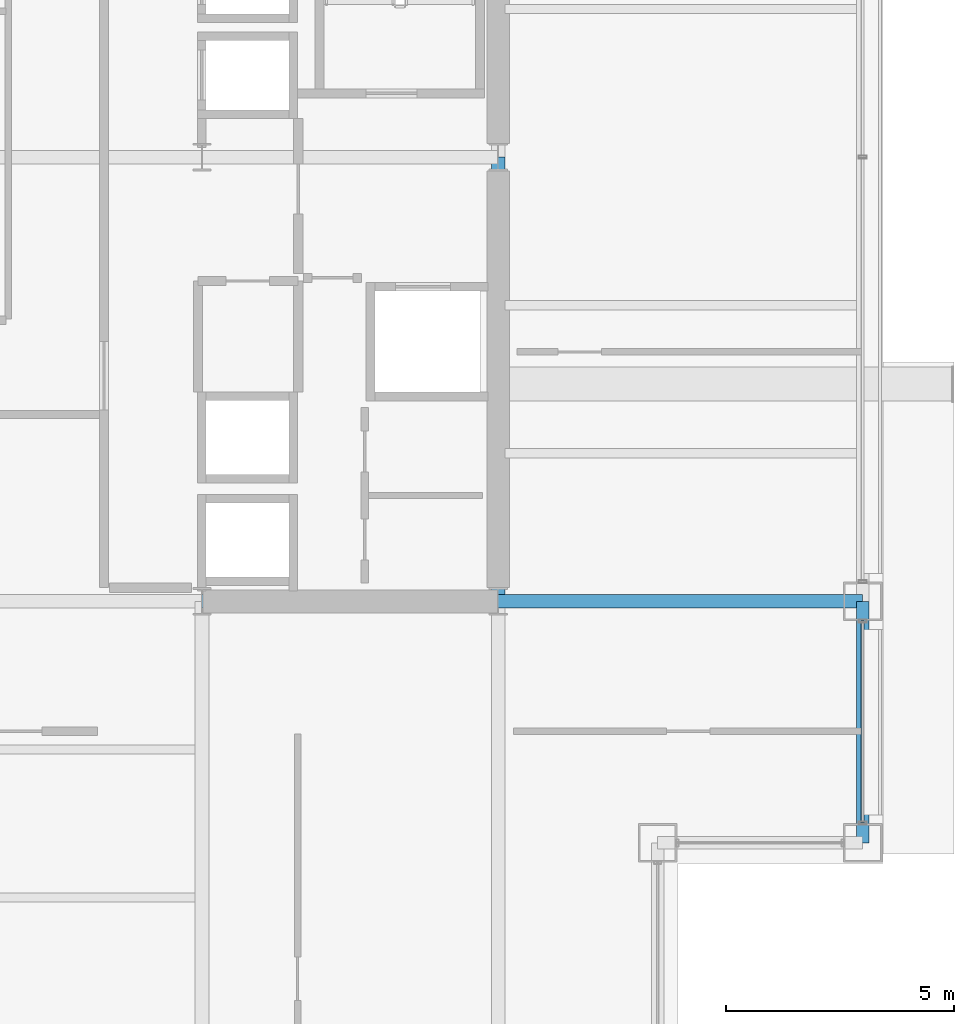
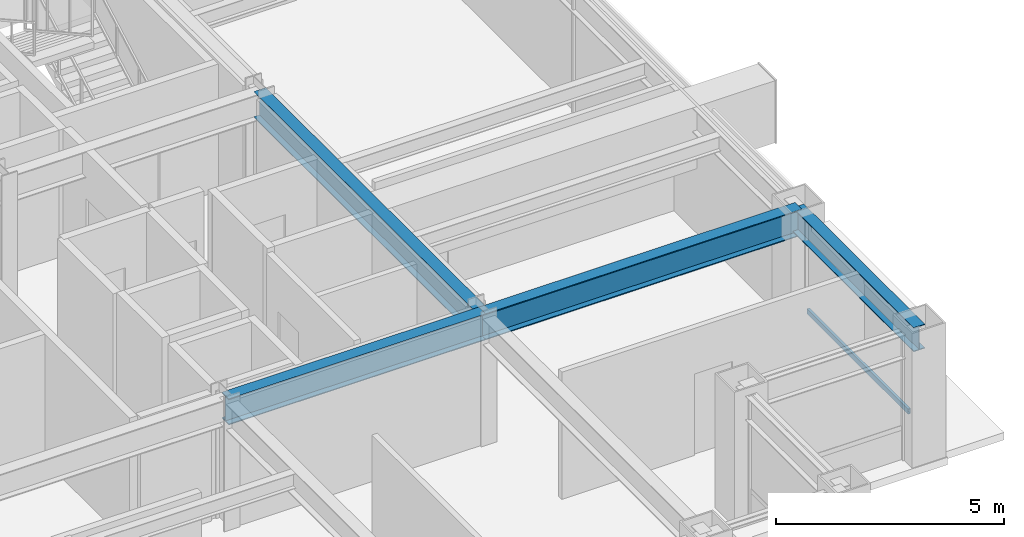
# One storey, part 15 of 34: 4 beams, 1 member, 1 element without a shape of its own.
"""IFC4 building model written with IfcOpenShell, lengths in metres."""

from ifc_helpers import new_model, si_unit, direction, frame, origin, origin_2d, place, context, subcontext, project, spatial, hollow_rectangle, i_section, extrude, material, layer, layer_set, material_profile, profile_set, type_object, element, aggregate, save


model = new_model("IFC4")

# Units and contexts
model_context = context("Model", 3, precision=1e-05, world=origin(), true_north=direction((0.0, 1.0)))
body_context = subcontext(model_context, "Body", "Model", "MODEL_VIEW")
ifc_project = project(units=[si_unit("LENGTHUNIT", "METRE"), si_unit("AREAUNIT", "SQUARE_METRE"), si_unit("VOLUMEUNIT", "CUBIC_METRE"), si_unit("PLANEANGLEUNIT", "RADIAN"), si_unit("MASSUNIT", "GRAM", prefix="KILO")], contexts=[model_context])

# Site, building, storey
site_placement = place(None, origin())
site = spatial("IfcSite", under=ifc_project, at=site_placement, CompositionType="ELEMENT")
building_placement = place(site_placement, origin())
building = spatial("IfcBuilding", under=site, at=building_placement, Name="Brelmoor Portico Tower", CompositionType="ELEMENT")
storey_placement = place(building_placement, frame((0.0, 0.0, 117.0)))
storey = spatial("IfcBuildingStorey", under=building, at=storey_placement, Name="L30", CompositionType="ELEMENT", Elevation=117.0)

# Beams
ifc_material_1 = material(Name="Steel Q355B", Category="steel")
ifc_material_profile_1 = material_profile(ifc_material_1, i_section(OverallWidth=0.300048828125, OverallDepth=0.699951171875, WebThickness=0.012939453125, FlangeThickness=0.02392578125, at=origin_2d()), Name="HN 700x300x13x24")
ifc_profile_set_1 = profile_set([ifc_material_profile_1], Name="Steel Q355B")
beam_type_1 = type_object("IfcBeamType", Name="BM-PG-700", PredefinedType="BEAM", material=ifc_profile_set_1)
beam_1_placement = place(storey_placement, frame((14.550048828125, -9.75, 3.050048828125), z_axis=(0.0, 1.0, 0.0), x_axis=(-1.0, 0.0, 0.0)))
element("IfcBeam", 1, at=beam_1_placement, inside=storey, type_object=beam_type_1, Name="L30 Primary Floor Girder PG-11", PredefinedType="BEAM", context=body_context, shape_type="SweptSolid", body=[
    extrude(i_section(OverallWidth=0.300048828125, OverallDepth=0.699951171875, WebThickness=0.012939453125, FlangeThickness=0.02392578125, at=origin_2d()), origin(), (0.0, 0.0, 1.0), 9.75),
])
beam_2_placement = place(storey_placement, frame((8.050048828125, -9.75, 3.050048828125), z_axis=(1.0, 0.0, 0.0), x_axis=(0.0, 1.0, 0.0)))
element("IfcBeam", 2, at=beam_2_placement, inside=storey, type_object=beam_type_1, Name="L30 Primary Floor Girder PG-17", PredefinedType="BEAM", context=body_context, shape_type="SweptSolid", body=[
    extrude(i_section(OverallWidth=0.300048828125, OverallDepth=0.699951171875, WebThickness=0.012939453125, FlangeThickness=0.02392578125, at=origin_2d()), origin(), (0.0, 0.0, 1.0), 6.5),
])
beam_3_placement = place(storey_placement, frame((14.550048828125, -9.75, 3.050048828125), z_axis=(1.0, 0.0, 0.0), x_axis=(0.0, 1.0, 0.0)))
element("IfcBeam", 3, at=beam_3_placement, inside=storey, type_object=beam_type_1, Name="L30 Primary Floor Girder PG-18", PredefinedType="BEAM", context=body_context, shape_type="SweptSolid", body=[
    extrude(i_section(OverallWidth=0.300048828125, OverallDepth=0.699951171875, WebThickness=0.012939453125, FlangeThickness=0.02392578125, at=origin_2d()), origin(), (0.0, 0.0, 1.0), 8.0),
])
ifc_material_profile_2 = material_profile(ifc_material_1, i_section(OverallWidth=0.280029296875, OverallDepth=0.64990234375, WebThickness=0.012939453125, FlangeThickness=0.02197265625, at=origin_2d()), Name="HN 650x280x13x22")
ifc_profile_set_2 = profile_set([ifc_material_profile_2], Name="Steel Q355B")
beam_type_2 = type_object("IfcBeamType", Name="BM-SP-650", PredefinedType="SPANDREL", material=ifc_profile_set_2)
beam_4_placement = place(storey_placement, frame((22.550048828125, -15.050048828125, 3.074951171875), z_axis=(0.0, 1.0, 0.0), x_axis=(-1.0, 0.0, 0.0)))
element("IfcBeam", 4, at=beam_4_placement, inside=storey, type_object=beam_type_2, Name="L30 Perimeter Spandrel Beam SP-22", PredefinedType="SPANDREL", context=body_context, shape_type="SweptSolid", body=[
    extrude(i_section(OverallWidth=0.280029296875, OverallDepth=0.64990234375, WebThickness=0.012939453125, FlangeThickness=0.02197265625, at=origin_2d()), origin(), (0.0, 0.0, 1.0), 5.300048828125),
])

# Curtain wall, member
ifc_material_2 = material(Name="Anodised Aluminium Alloy 6063-T6", Category="aluminium")
ifc_layer = layer(ifc_material_2, 0.179931640625)
ifc_layer_set = layer_set([ifc_layer], Name="Anodised Aluminium Alloy 6063-T6")
curtain_wall_type = type_object("IfcCurtainWallType", Name="CW-TOWER-Z2", PredefinedType="NOTDEFINED", material=ifc_layer_set)
curtain_wall_placement = place(storey_placement, origin())
curtain_wall = element("IfcCurtainWall", 5, at=curtain_wall_placement, inside=storey, type_object=curtain_wall_type, Name="L30 Curtain Wall CW-L30-04-1", PredefinedType="NOTDEFINED")
ifc_material_profile_3 = material_profile(ifc_material_2, hollow_rectangle(XDim=0.06494140625, YDim=0.139892578125, WallThickness=0.00390625, at=origin_2d()), Name="ALU TRANSOM 65x140")
ifc_profile_set_3 = profile_set([ifc_material_profile_3], Name="Anodised Aluminium Alloy 6063-T6")
member_type = type_object("IfcMemberType", Name="MB-CW-TRAN-140", PredefinedType="USERDEFINED", material=ifc_profile_set_3)
member_placement = place(storey_placement, frame((22.550048828125, -14.614990234375, 0.85009765625), z_axis=(0.0, 1.0, 0.0), x_axis=(-1.0, 0.0, 0.0)))
member = element("IfcMember", 6, at=member_placement, type_object=member_type, Name="CW-L30-04-1 Transom 1-00", ObjectType="TRANSOM", PredefinedType="USERDEFINED", context=body_context, shape_type="SweptSolid", body=[
    extrude(hollow_rectangle(XDim=0.06494140625, YDim=0.139892578125, WallThickness=0.00390625, at=origin_2d()), origin(), (0.0, 0.0, 1.0), 4.429931640625),
])
aggregate(curtain_wall, [member])

save(model, "model.ifc")
